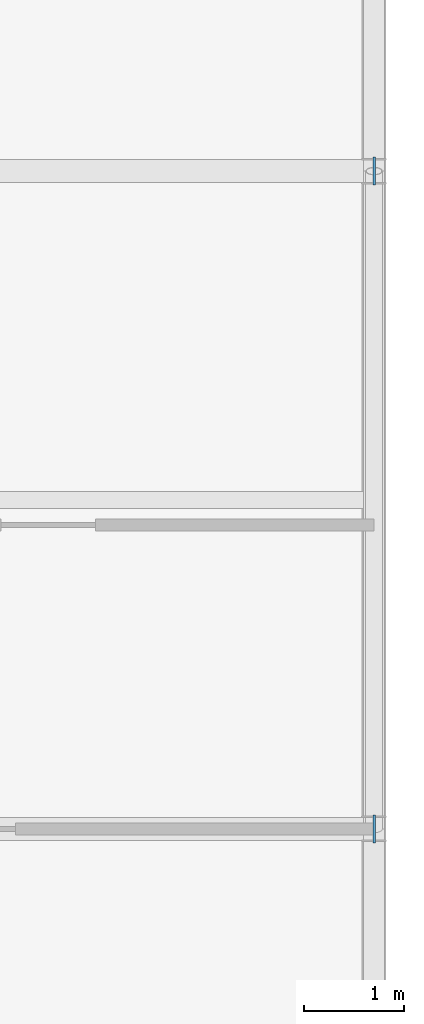
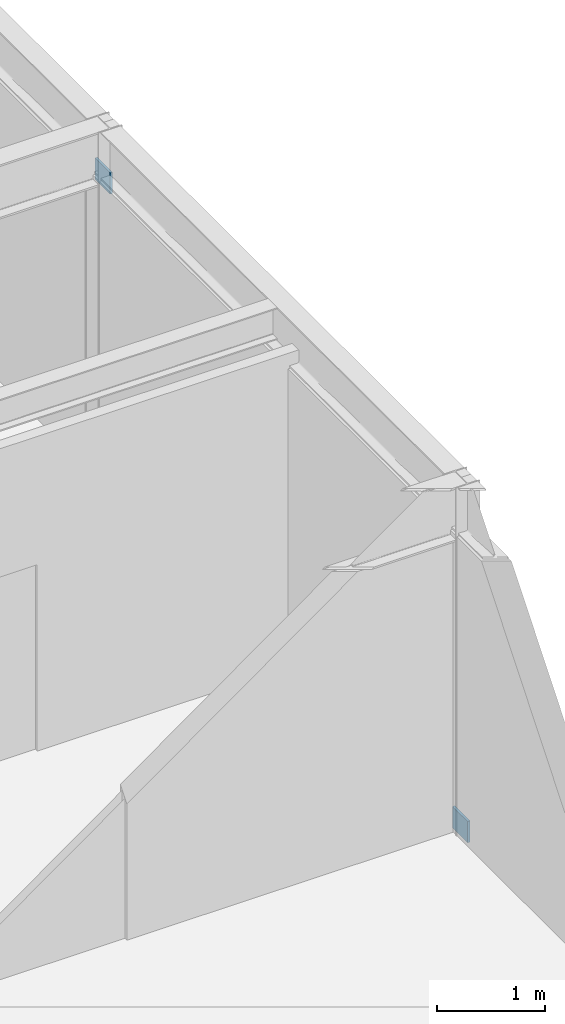
# One storey, part 54 of 66: 2 plates.
"""IFC4 building model written with IfcOpenShell, lengths in metres."""

from ifc_helpers import new_model, si_unit, direction, frame, origin, origin_2d, place, context, subcontext, project, spatial, rectangle, extrude, material, layer, layer_set, type_object, element, save


model = new_model("IFC4")

# Units and contexts
model_context = context("Model", 3, precision=1e-05, world=origin(), true_north=direction((0.0, 1.0)))
body_context = subcontext(model_context, "Body", "Model", "MODEL_VIEW")
ifc_project = project(units=[si_unit("LENGTHUNIT", "METRE"), si_unit("AREAUNIT", "SQUARE_METRE"), si_unit("VOLUMEUNIT", "CUBIC_METRE"), si_unit("PLANEANGLEUNIT", "RADIAN"), si_unit("MASSUNIT", "GRAM", prefix="KILO")], contexts=[model_context])

# Site, building, storey
site_placement = place(None, origin())
site = spatial("IfcSite", under=ifc_project, at=site_placement, CompositionType="ELEMENT")
building_placement = place(site_placement, origin())
building = spatial("IfcBuilding", under=site, at=building_placement, Name="Karori Crest Natural Sciences Institute", CompositionType="ELEMENT")
storey_placement = place(building_placement, frame((0.0, 0.0, 30.10009765625)))
storey = spatial("IfcBuildingStorey", under=building, at=storey_placement, Name="L07", CompositionType="ELEMENT", Elevation=30.10009765625)

# Plates
ifc_material = material(Name="Structural steel AS/NZS 3679.1 Grade 350", Category="steel")
ifc_layer = layer(ifc_material, 0.02490234375, Name="Structural steel AS/NZS 3679.1 Grade 350")
ifc_layer_set = layer_set([ifc_layer], Name="Structural steel AS/NZS 3679.1 Grade 350")
plate_type = type_object("IfcPlateType", Name="PLT-06-EL", PredefinedType="SHEET", material=ifc_layer_set)
for number, where, z_axis, x_axis, name in (
    (1, (156.39990234375, 7.39990234375, -0.10986328125), (0.0, 0.0, 1.0), (0.0, 1.0, 0.0), "Brace gusset plate EP-0418"),
    (2, (156.39990234375, 14.0, 3.19775390625), (0.0, 0.0, 1.0), (0.0, 1.0, 0.0), "Brace gusset plate EP-0419"),
):
    element("IfcPlate", number, at=place(storey_placement, frame(where, z_axis=z_axis, x_axis=x_axis)), inside=storey, type_object=plate_type, Name=name, PredefinedType="SHEET", context=body_context, shape_type="SweptSolid", body=[
        extrude(rectangle(XDim=0.280029296875, YDim=0.02490234375, at=origin_2d()), origin(), (0.0, 0.0, 1.0), 0.239990234375),
    ])

save(model, "model.ifc")
